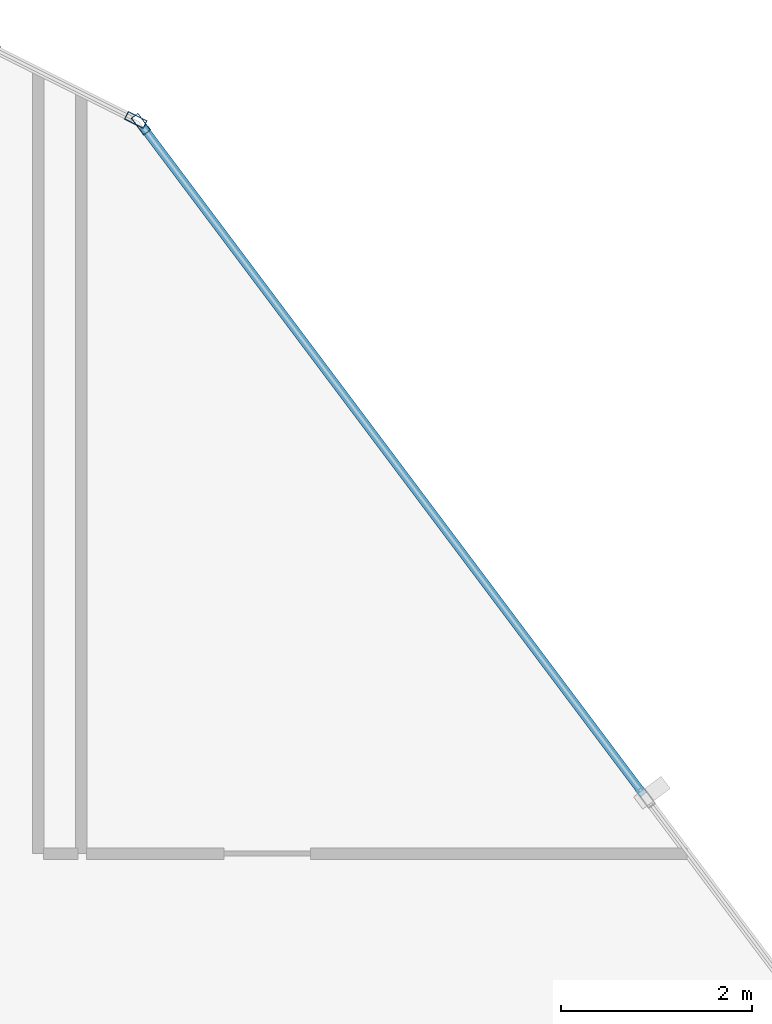
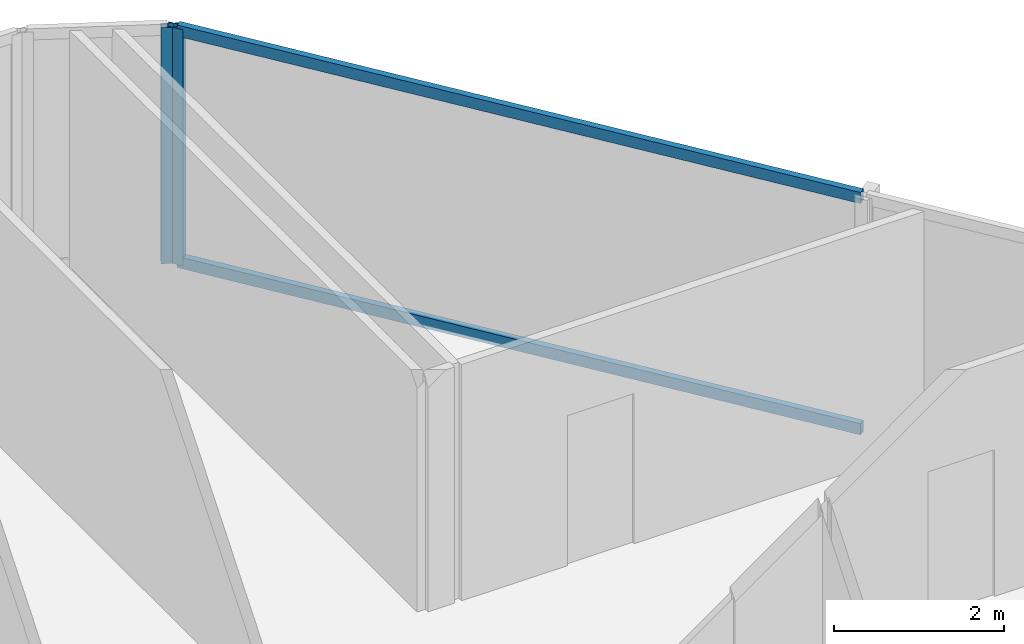
# One storey, part 17 of 34: 4 members, 2 elements without a shape of their own.
"""IFC4 building model written with IfcOpenShell, lengths in metres."""

from ifc_helpers import new_model, si_unit, direction, frame, origin, origin_2d, place, context, subcontext, project, spatial, hollow_rectangle, extrude, material, layer, layer_set, material_profile, profile_set, type_object, element, aggregate, save


model = new_model("IFC4")

# Units and contexts
model_context = context("Model", 3, precision=1e-05, world=origin(), true_north=direction((0.0, 1.0)))
body_context = subcontext(model_context, "Body", "Model", "MODEL_VIEW")
ifc_project = project(units=[si_unit("LENGTHUNIT", "METRE"), si_unit("AREAUNIT", "SQUARE_METRE"), si_unit("VOLUMEUNIT", "CUBIC_METRE"), si_unit("PLANEANGLEUNIT", "RADIAN"), si_unit("MASSUNIT", "GRAM", prefix="KILO")], contexts=[model_context])

# Site, building, storey
site_placement = place(None, origin())
site = spatial("IfcSite", under=ifc_project, at=site_placement, CompositionType="ELEMENT")
building_placement = place(site_placement, origin())
building = spatial("IfcBuilding", under=site, at=building_placement, Name="Keshet Zoharim Tower", CompositionType="ELEMENT")
storey_placement = place(building_placement, frame((0.0, 0.0, 31.39990234375)))
storey = spatial("IfcBuildingStorey", under=building, at=storey_placement, Name="L06", CompositionType="ELEMENT", Elevation=31.39990234375)

# Curtain wall, member
ifc_material = material(Name="Aluminium 6063-T6", Category="aluminium")
ifc_layer = layer(ifc_material, 0.169921875)
ifc_layer_set = layer_set([ifc_layer], Name="Aluminium 6063-T6")
curtain_wall_type = type_object("IfcCurtainWallType", Name="CW-SYS-02", PredefinedType="NOTDEFINED", material=ifc_layer_set)
curtain_wall_1_placement = place(storey_placement, origin())
curtain_wall_1 = element("IfcCurtainWall", 1, at=curtain_wall_1_placement, inside=storey, type_object=curtain_wall_type, Name="L06 Unitised Curtain Wall 08", PredefinedType="NOTDEFINED")
ifc_material_profile_1 = material_profile(ifc_material, hollow_rectangle(XDim=0.090087890625, YDim=0.219970703125, WallThickness=0.0048828125, at=origin_2d()), Name="MUL-90x220")
ifc_profile_set_1 = profile_set([ifc_material_profile_1], Name="Aluminium 6063-T6")
member_type_1 = type_object("IfcMemberType", Name="CWM-M22", PredefinedType="MULLION", material=ifc_profile_set_1)
member_1_placement = place(storey_placement, frame((51.568603515625, 53.11572265625, 0.0), z_axis=(0.0, 0.0, 1.0), x_axis=(0.447213595499, 0.894427191001, 0.0)))
member_1 = element("IfcMember", 2, at=member_1_placement, type_object=member_type_1, Name="CW-02 mullion 2", PredefinedType="MULLION", context=body_context, shape_type="SweptSolid", body=[
    extrude(hollow_rectangle(XDim=0.090087890625, YDim=0.219970703125, WallThickness=0.0048828125, at=origin_2d()), origin(), (0.0, 0.0, 1.0), 3.385009765625),
])
aggregate(curtain_wall_1, [member_1])

# Curtain wall, members
curtain_wall_2_placement = place(storey_placement, origin())
curtain_wall_2 = element("IfcCurtainWall", 3, at=curtain_wall_2_placement, inside=storey, type_object=curtain_wall_type, Name="L06 Unitised Curtain Wall 09", PredefinedType="NOTDEFINED")
member_2_placement = place(storey_placement, frame((51.62109375, 53.072021484375, 0.0), z_axis=(0.0, 0.0, 1.0), x_axis=(0.799999999998, 0.600000000002, 0.0)))
member_2 = element("IfcMember", 4, at=member_2_placement, type_object=member_type_1, Name="CW-02 mullion 1", PredefinedType="MULLION", context=body_context, shape_type="SweptSolid", body=[
    extrude(hollow_rectangle(XDim=0.090087890625, YDim=0.219970703125, WallThickness=0.0048828125, at=origin_2d()), origin(), (0.0, 0.0, 1.0), 3.385009765625),
])
ifc_material_profile_2 = material_profile(ifc_material, hollow_rectangle(XDim=0.0849609375, YDim=0.159912109375, WallThickness=0.00439453125, at=origin_2d()), Name="TRN-85x160")
ifc_profile_set_2 = profile_set([ifc_material_profile_2], Name="Aluminium 6063-T6")
member_type_2 = type_object("IfcMemberType", Name="CWT-T16", PredefinedType="USERDEFINED", material=ifc_profile_set_2)
member_3_placement = place(storey_placement, frame((51.64208984375, 53.0439453125, 0.03515625), z_axis=(0.599991043201, -0.800006717521, 0.0), x_axis=(0.800006717521, 0.599991043201, 0.0)))
member_3 = element("IfcMember", 5, at=member_3_placement, type_object=member_type_2, Name="CW-02 transom 1.1", ObjectType="TRANSOM", PredefinedType="USERDEFINED", context=body_context, shape_type="SweptSolid", body=[
    extrude(hollow_rectangle(XDim=0.0849609375, YDim=0.159912109375, WallThickness=0.00439453125, at=origin_2d()), origin(), (0.0, 0.0, 1.0), 8.722412109375),
])
member_4_placement = place(storey_placement, frame((51.64208984375, 53.0439453125, 3.35009765625), z_axis=(0.599991043201, -0.800006717521, 0.0), x_axis=(0.800006717521, 0.599991043201, 0.0)))
member_4 = element("IfcMember", 6, at=member_4_placement, type_object=member_type_2, Name="CW-02 transom 1.2", ObjectType="TRANSOM", PredefinedType="USERDEFINED", context=body_context, shape_type="SweptSolid", body=[
    extrude(hollow_rectangle(XDim=0.0849609375, YDim=0.159912109375, WallThickness=0.00439453125, at=origin_2d()), origin(), (0.0, 0.0, 1.0), 8.722412109375),
])
aggregate(curtain_wall_2, [member_2, member_3, member_4])

save(model, "model.ifc")
